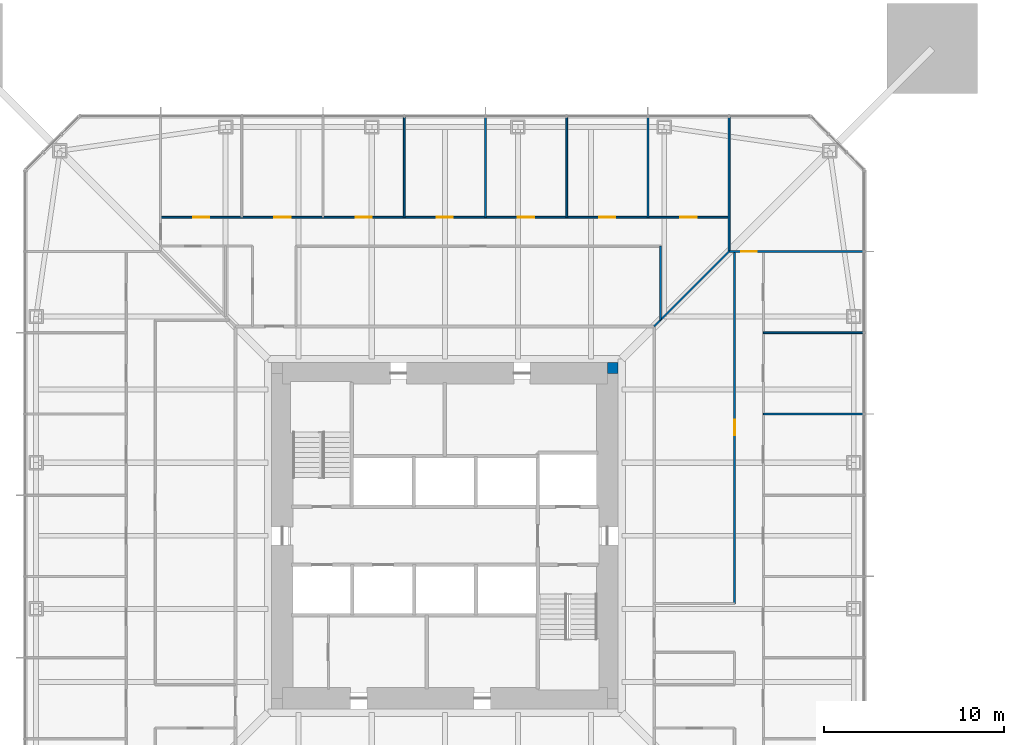
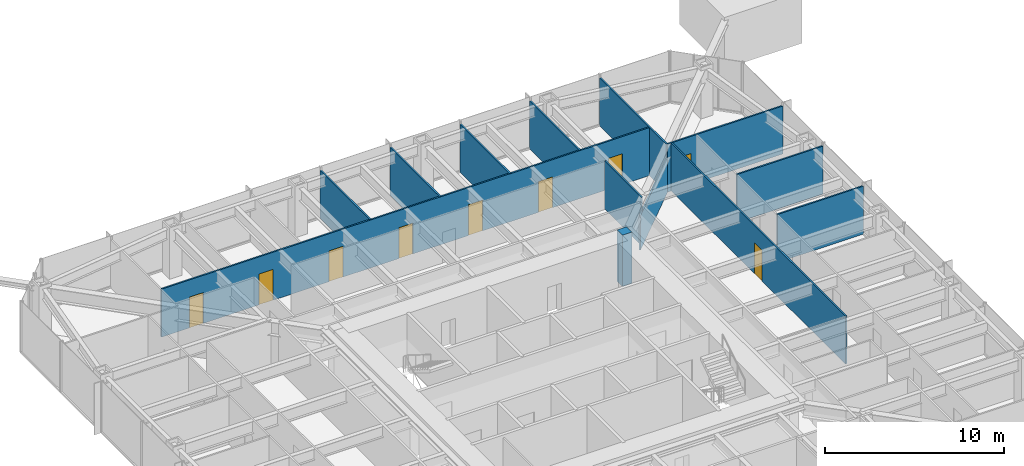
# One storey, part 17 of 26: 13 walls, 9 doors, 9 openings.
"""IFC4 building model written with IfcOpenShell, lengths in metres."""

from ifc_helpers import new_model, si_unit, direction, frame, frame_2d, origin, place, context, subcontext, project, spatial, rectangle, extrude, material, layer, layer_set, type_object, element, fill, save


model = new_model("IFC4")

# Units and contexts
model_context = context("Model", 3, precision=1e-05, world=origin(), true_north=direction((0.0, 1.0)))
body_context = subcontext(model_context, "Body", "Model", "MODEL_VIEW")
ifc_project = project(units=[si_unit("LENGTHUNIT", "METRE"), si_unit("AREAUNIT", "SQUARE_METRE"), si_unit("VOLUMEUNIT", "CUBIC_METRE"), si_unit("PLANEANGLEUNIT", "RADIAN"), si_unit("MASSUNIT", "GRAM", prefix="KILO")], contexts=[model_context])

# Site, building, storey
site_placement = place(None, origin())
site = spatial("IfcSite", under=ifc_project, at=site_placement, CompositionType="ELEMENT")
building_placement = place(site_placement, origin())
building = spatial("IfcBuilding", under=site, at=building_placement, Name="Iwan Alto Co-Living Towers", CompositionType="ELEMENT")
storey_placement = place(building_placement, frame((0.0, 0.0, 22.0)))
storey = spatial("IfcBuildingStorey", under=building, at=storey_placement, Name="L05", CompositionType="ELEMENT", Elevation=22.0)

# Walls
ifc_material_1 = material(Name="Gypsum board")
ifc_layer_1 = layer(ifc_material_1, 0.012451171875, Name="Board", Category="Finish")
ifc_material_2 = material(Name="Steel ASTM A1003 ST33H cold-formed studs", Category="steel")
ifc_layer_2 = layer(ifc_material_2, 0.074951171875, Name="Studs", Category="Framing")
ifc_layer_3 = layer(ifc_material_1, 0.012451171875, Name="Board", Category="Finish")
ifc_layer_set_1 = layer_set([ifc_layer_1, ifc_layer_2, ifc_layer_3], Name="PARTITION 100")
wall_type_1 = type_object("IfcWallType", Name="PARTITION 100", PredefinedType="PARTITIONING", material=ifc_layer_set_1)
for number, where, z_axis, x_axis, name in (
    (1, (17.64990234375, 6.75, 0.0), (0.0, 0.0, 1.0), (1.0, 0.0, 0.0), "Partition L05"),
    (2, (17.64990234375, 11.25, 0.0), (0.0, 0.0, 1.0), (1.0, 0.0, 0.0), "Partition L05"),
):
    element("IfcWall", number, at=place(storey_placement, frame(where, z_axis=z_axis, x_axis=x_axis)), inside=storey, type_object=wall_type_1, Name=name, PredefinedType="PARTITIONING", context=body_context, shape_type="SweptSolid", body=[
        extrude(rectangle(XDim=5.5400390625, YDim=0.10009765625, at=frame_2d((2.77001953125, 0.0))), origin(), (0.0, 0.0, 1.0), 3.27001953125),
    ])

# Wall, opening, door
wall_1_placement = place(storey_placement, frame((15.75, 15.75, 0.0), z_axis=(0.0, 0.0, 1.0), x_axis=(1.0, 0.0, 0.0)))
wall_1 = element("IfcWall", 3, at=wall_1_placement, inside=storey, type_object=wall_type_1, Name="Partition L05", PredefinedType="PARTITIONING", context=body_context, shape_type="SweptSolid", body=[
    extrude(rectangle(XDim=7.43994140625, YDim=0.10009765625, at=frame_2d((3.719970703125, 0.0))), origin(), (0.0, 0.0, 1.0), 3.27001953125),
])
opening_1_placement = place(wall_1_placement, frame((0.675048828125, 0.0, 0.0)))
opening_1 = element("IfcOpeningElement", 4, at=opening_1_placement, cuts=wall_1, Name="Opening D2", PredefinedType="OPENING", context=body_context, shape_type="SweptSolid", body=[
    extrude(rectangle(XDim=0.85009765625, YDim=2.10009765625, at=frame_2d((0.425048828125, 1.050048828125))), frame((0.0, 0.06005859375, 0.0), z_axis=(0.0, -1.0, 0.0), x_axis=(1.0, 0.0, 0.0)), (0.0, 0.0, 1.0), 0.1201171875),
])
ifc_material_3 = material(Name="Timber leaf in steel frame", Category="steel")
door_type_1 = type_object("IfcDoorType", Name="ROOM DOOR 850X2100", OperationType="SINGLE_SWING_LEFT", PredefinedType="DOOR", material=ifc_material_3)
door_1_placement = place(opening_1_placement, frame((0.85009765625, 0.0, 0.0), z_axis=(0.0, 0.0, 1.0), x_axis=(-1.0, 0.0, 0.0)))
door_1 = element("IfcDoor", 5, at=door_1_placement, inside=storey, type_object=door_type_1, Name="Shared kitchen and lounge door L05", OperationType="SINGLE_SWING_RIGHT", OverallHeight=2.10009765625, OverallWidth=0.85009765625, PredefinedType="DOOR", context=body_context, shape_type="SweptSolid", body=[
    extrude(rectangle(XDim=0.85009765625, YDim=2.10009765625, at=frame_2d((0.425048828125, 1.050048828125))), frame((0.0, 0.02490234375, 0.0), z_axis=(0.0, -1.0, 0.0), x_axis=(1.0, 0.0, 0.0)), (0.0, 0.0, 1.0), 0.050048828125),
])
fill(opening_1, door_1)

# Wall, openings, doors
wall_2_placement = place(storey_placement, frame((-15.75, 17.64990234375, 0.0), z_axis=(0.0, 0.0, 1.0), x_axis=(1.0, 0.0, 0.0)))
wall_2 = element("IfcWall", 6, at=wall_2_placement, inside=storey, type_object=wall_type_1, Name="Partition L05", PredefinedType="PARTITIONING", context=body_context, shape_type="SweptSolid", body=[
    extrude(rectangle(XDim=31.5, YDim=0.10009765625, at=frame_2d((15.75, 0.0))), origin(), (0.0, 0.0, 1.0), 3.27001953125),
])
opening_2_placement = place(wall_2_placement, frame((28.800048828125, 0.0, 0.0)))
opening_2 = element("IfcOpeningElement", 7, at=opening_2_placement, cuts=wall_2, Name="Opening D1", PredefinedType="OPENING", context=body_context, shape_type="SweptSolid", body=[
    extrude(rectangle(XDim=0.89990234375, YDim=2.10009765625, at=frame_2d((0.449951171875, 1.050048828125))), frame((0.0, 0.06005859375, 0.0), z_axis=(0.0, -1.0, 0.0), x_axis=(1.0, 0.0, 0.0)), (0.0, 0.0, 1.0), 0.1201171875),
])
opening_3_placement = place(wall_2_placement, frame((24.300048828125, 0.0, 0.0)))
opening_3 = element("IfcOpeningElement", 8, at=opening_3_placement, cuts=wall_2, Name="Opening D1", PredefinedType="OPENING", context=body_context, shape_type="SweptSolid", body=[
    extrude(rectangle(XDim=0.89990234375, YDim=2.10009765625, at=frame_2d((0.449951171875, 1.050048828125))), frame((0.0, 0.06005859375, 0.0), z_axis=(0.0, -1.0, 0.0), x_axis=(1.0, 0.0, 0.0)), (0.0, 0.0, 1.0), 0.1201171875),
])
opening_4_placement = place(wall_2_placement, frame((19.800048828125, 0.0, 0.0)))
opening_4 = element("IfcOpeningElement", 9, at=opening_4_placement, cuts=wall_2, Name="Opening D1", PredefinedType="OPENING", context=body_context, shape_type="SweptSolid", body=[
    extrude(rectangle(XDim=0.89990234375, YDim=2.10009765625, at=frame_2d((0.449951171875, 1.050048828125))), frame((0.0, 0.06005859375, 0.0), z_axis=(0.0, -1.0, 0.0), x_axis=(1.0, 0.0, 0.0)), (0.0, 0.0, 1.0), 0.1201171875),
])
opening_5_placement = place(wall_2_placement, frame((15.300048828125, 0.0, 0.0)))
opening_5 = element("IfcOpeningElement", 10, at=opening_5_placement, cuts=wall_2, Name="Opening D1", PredefinedType="OPENING", context=body_context, shape_type="SweptSolid", body=[
    extrude(rectangle(XDim=0.89990234375, YDim=2.10009765625, at=frame_2d((0.449951171875, 1.050048828125))), frame((0.0, 0.06005859375, 0.0), z_axis=(0.0, -1.0, 0.0), x_axis=(1.0, 0.0, 0.0)), (0.0, 0.0, 1.0), 0.1201171875),
])
opening_6_placement = place(wall_2_placement, frame((10.800048828125, 0.0, 0.0)))
opening_6 = element("IfcOpeningElement", 11, at=opening_6_placement, cuts=wall_2, Name="Opening D1", PredefinedType="OPENING", context=body_context, shape_type="SweptSolid", body=[
    extrude(rectangle(XDim=0.89990234375, YDim=2.10009765625, at=frame_2d((0.449951171875, 1.050048828125))), frame((0.0, 0.06005859375, 0.0), z_axis=(0.0, -1.0, 0.0), x_axis=(1.0, 0.0, 0.0)), (0.0, 0.0, 1.0), 0.1201171875),
])
opening_7_placement = place(wall_2_placement, frame((6.300048828125, 0.0, 0.0)))
opening_7 = element("IfcOpeningElement", 12, at=opening_7_placement, cuts=wall_2, Name="Opening D1", PredefinedType="OPENING", context=body_context, shape_type="SweptSolid", body=[
    extrude(rectangle(XDim=0.89990234375, YDim=2.10009765625, at=frame_2d((0.449951171875, 1.050048828125))), frame((0.0, 0.06005859375, 0.0), z_axis=(0.0, -1.0, 0.0), x_axis=(1.0, 0.0, 0.0)), (0.0, 0.0, 1.0), 0.1201171875),
])
opening_8_placement = place(wall_2_placement, frame((1.800048828125, 0.0, 0.0)))
opening_8 = element("IfcOpeningElement", 13, at=opening_8_placement, cuts=wall_2, Name="Opening D1", PredefinedType="OPENING", context=body_context, shape_type="SweptSolid", body=[
    extrude(rectangle(XDim=0.89990234375, YDim=2.10009765625, at=frame_2d((0.449951171875, 1.050048828125))), frame((0.0, 0.06005859375, 0.0), z_axis=(0.0, -1.0, 0.0), x_axis=(1.0, 0.0, 0.0)), (0.0, 0.0, 1.0), 0.1201171875),
])
ifc_material_4 = material(Name="Timber leaf in steel frame", Category="steel")
door_type_2 = type_object("IfcDoorType", Name="BEDROOM DOOR 900X2100", OperationType="SINGLE_SWING_LEFT", PredefinedType="DOOR", material=ifc_material_4)
door_2_placement = place(opening_2_placement, frame((0.89990234375, 0.0, 0.0), z_axis=(0.0, 0.0, 1.0), x_axis=(-1.0, 0.0, 0.0)))
door_2 = element("IfcDoor", 14, at=door_2_placement, inside=storey, type_object=door_type_2, Name="Study bedroom door L05", OperationType="SINGLE_SWING_LEFT", OverallHeight=2.10009765625, OverallWidth=0.89990234375, PredefinedType="DOOR", context=body_context, shape_type="SweptSolid", body=[
    extrude(rectangle(XDim=0.89990234375, YDim=2.10009765625, at=frame_2d((0.449951171875, 1.050048828125))), frame((0.0, 0.02490234375, 0.0), z_axis=(0.0, -1.0, 0.0), x_axis=(1.0, 0.0, 0.0)), (0.0, 0.0, 1.0), 0.050048828125),
])
fill(opening_2, door_2)
door_3_placement = place(opening_3_placement, frame((0.89990234375, 0.0, 0.0), z_axis=(0.0, 0.0, 1.0), x_axis=(-1.0, 0.0, 0.0)))
door_3 = element("IfcDoor", 15, at=door_3_placement, inside=storey, type_object=door_type_2, Name="Study bedroom door L05", OperationType="SINGLE_SWING_LEFT", OverallHeight=2.10009765625, OverallWidth=0.89990234375, PredefinedType="DOOR", context=body_context, shape_type="SweptSolid", body=[
    extrude(rectangle(XDim=0.89990234375, YDim=2.10009765625, at=frame_2d((0.449951171875, 1.050048828125))), frame((0.0, 0.02490234375, 0.0), z_axis=(0.0, -1.0, 0.0), x_axis=(1.0, 0.0, 0.0)), (0.0, 0.0, 1.0), 0.050048828125),
])
fill(opening_3, door_3)
door_4_placement = place(opening_4_placement, frame((0.89990234375, 0.0, 0.0), z_axis=(0.0, 0.0, 1.0), x_axis=(-1.0, 0.0, 0.0)))
door_4 = element("IfcDoor", 16, at=door_4_placement, inside=storey, type_object=door_type_2, Name="Study bedroom door L05", OperationType="SINGLE_SWING_LEFT", OverallHeight=2.10009765625, OverallWidth=0.89990234375, PredefinedType="DOOR", context=body_context, shape_type="SweptSolid", body=[
    extrude(rectangle(XDim=0.89990234375, YDim=2.10009765625, at=frame_2d((0.449951171875, 1.050048828125))), frame((0.0, 0.02490234375, 0.0), z_axis=(0.0, -1.0, 0.0), x_axis=(1.0, 0.0, 0.0)), (0.0, 0.0, 1.0), 0.050048828125),
])
fill(opening_4, door_4)
door_5_placement = place(opening_5_placement, frame((0.89990234375, 0.0, 0.0), z_axis=(0.0, 0.0, 1.0), x_axis=(-1.0, 0.0, 0.0)))
door_5 = element("IfcDoor", 17, at=door_5_placement, inside=storey, type_object=door_type_2, Name="Study bedroom door L05", OperationType="SINGLE_SWING_RIGHT", OverallHeight=2.10009765625, OverallWidth=0.89990234375, PredefinedType="DOOR", context=body_context, shape_type="SweptSolid", body=[
    extrude(rectangle(XDim=0.89990234375, YDim=2.10009765625, at=frame_2d((0.449951171875, 1.050048828125))), frame((0.0, 0.02490234375, 0.0), z_axis=(0.0, -1.0, 0.0), x_axis=(1.0, 0.0, 0.0)), (0.0, 0.0, 1.0), 0.050048828125),
])
fill(opening_5, door_5)
door_6_placement = place(opening_6_placement, frame((0.89990234375, 0.0, 0.0), z_axis=(0.0, 0.0, 1.0), x_axis=(-1.0, 0.0, 0.0)))
door_6 = element("IfcDoor", 18, at=door_6_placement, inside=storey, type_object=door_type_2, Name="Study bedroom door L05", OperationType="SINGLE_SWING_RIGHT", OverallHeight=2.10009765625, OverallWidth=0.89990234375, PredefinedType="DOOR", context=body_context, shape_type="SweptSolid", body=[
    extrude(rectangle(XDim=0.89990234375, YDim=2.10009765625, at=frame_2d((0.449951171875, 1.050048828125))), frame((0.0, 0.02490234375, 0.0), z_axis=(0.0, -1.0, 0.0), x_axis=(1.0, 0.0, 0.0)), (0.0, 0.0, 1.0), 0.050048828125),
])
fill(opening_6, door_6)
door_7_placement = place(opening_7_placement, frame((0.89990234375, 0.0, 0.0), z_axis=(0.0, 0.0, 1.0), x_axis=(-1.0, 0.0, 0.0)))
door_7 = element("IfcDoor", 19, at=door_7_placement, inside=storey, type_object=door_type_2, Name="Study bedroom door L05", OperationType="SINGLE_SWING_RIGHT", OverallHeight=2.10009765625, OverallWidth=0.89990234375, PredefinedType="DOOR", context=body_context, shape_type="SweptSolid", body=[
    extrude(rectangle(XDim=0.89990234375, YDim=2.10009765625, at=frame_2d((0.449951171875, 1.050048828125))), frame((0.0, 0.02490234375, 0.0), z_axis=(0.0, -1.0, 0.0), x_axis=(1.0, 0.0, 0.0)), (0.0, 0.0, 1.0), 0.050048828125),
])
fill(opening_7, door_7)
door_8_placement = place(opening_8_placement, frame((0.89990234375, 0.0, 0.0), z_axis=(0.0, 0.0, 1.0), x_axis=(-1.0, 0.0, 0.0)))
door_8 = element("IfcDoor", 20, at=door_8_placement, inside=storey, type_object=door_type_2, Name="Study bedroom door L05", OperationType="SINGLE_SWING_RIGHT", OverallHeight=2.10009765625, OverallWidth=0.89990234375, PredefinedType="DOOR", context=body_context, shape_type="SweptSolid", body=[
    extrude(rectangle(XDim=0.89990234375, YDim=2.10009765625, at=frame_2d((0.449951171875, 1.050048828125))), frame((0.0, 0.02490234375, 0.0), z_axis=(0.0, -1.0, 0.0), x_axis=(1.0, 0.0, 0.0)), (0.0, 0.0, 1.0), 0.050048828125),
])
fill(opening_8, door_8)

# Wall
wall_3_placement = place(storey_placement, frame((11.60009765625, 11.60009765625, 0.0), z_axis=(0.0, 0.0, 1.0), x_axis=(0.707106781187, 0.707106781187, 0.0)))
element("IfcWall", 21, at=wall_3_placement, inside=storey, type_object=wall_type_1, Name="Partition L05", PredefinedType="PARTITIONING", context=body_context, shape_type="SweptSolid", body=[
    extrude(rectangle(XDim=5.868896484375, YDim=0.10009765625, at=frame_2d((2.9345703125, 0.0))), origin(), (0.0, 0.0, 1.0), 2.343017578125),
])

# Wall, opening, door
wall_4_placement = place(storey_placement, frame((16.050048828125, -3.75, 0.0), z_axis=(0.0, 0.0, 1.0), x_axis=(0.0, 1.0, 0.0)))
wall_4 = element("IfcWall", 22, at=wall_4_placement, inside=storey, type_object=wall_type_1, Name="Partition L05", PredefinedType="PARTITIONING", context=body_context, shape_type="SweptSolid", body=[
    extrude(rectangle(XDim=19.5, YDim=0.10009765625, at=frame_2d((9.75, 0.0))), origin(), (0.0, 0.0, 1.0), 3.27001953125),
])
opening_9_placement = place(wall_4_placement, frame((9.324951171875, 0.0, 0.0)))
opening_9 = element("IfcOpeningElement", 23, at=opening_9_placement, cuts=wall_4, Name="Opening D2", PredefinedType="OPENING", context=body_context, shape_type="SweptSolid", body=[
    extrude(rectangle(XDim=0.85009765625, YDim=2.10009765625, at=frame_2d((0.425048828125, 1.050048828125))), frame((0.0, 0.06005859375, 0.0), z_axis=(0.0, -1.0, 0.0), x_axis=(1.0, 0.0, 0.0)), (0.0, 0.0, 1.0), 0.1201171875),
])
door_9_placement = place(opening_9_placement, origin())
door_9 = element("IfcDoor", 24, at=door_9_placement, inside=storey, type_object=door_type_1, Name="Study lounge door L05", OperationType="SINGLE_SWING_LEFT", OverallHeight=2.10009765625, OverallWidth=0.85009765625, PredefinedType="DOOR", context=body_context, shape_type="SweptSolid", body=[
    extrude(rectangle(XDim=0.85009765625, YDim=2.10009765625, at=frame_2d((0.425048828125, 1.050048828125))), frame((0.0, 0.02490234375, 0.0), z_axis=(0.0, -1.0, 0.0), x_axis=(1.0, 0.0, 0.0)), (0.0, 0.0, 1.0), 0.050048828125),
])
fill(opening_9, door_9)

# Walls
wall_5_placement = place(storey_placement, frame((15.75, 15.75, 0.0), z_axis=(0.0, 0.0, 1.0), x_axis=(0.0, 1.0, 0.0)))
element("IfcWall", 25, at=wall_5_placement, inside=storey, type_object=wall_type_1, Name="Partition L05", PredefinedType="PARTITIONING", context=body_context, shape_type="SweptSolid", body=[
    extrude(rectangle(XDim=7.43994140625, YDim=0.10009765625, at=frame_2d((3.719970703125, 0.0))), origin(), (0.0, 0.0, 1.0), 3.27001953125),
])
wall_6_placement = place(storey_placement, frame((11.949951171875, 11.949951171875, 0.0), z_axis=(0.0, 0.0, 1.0), x_axis=(0.0, 1.0, 0.0)))
element("IfcWall", 26, at=wall_6_placement, inside=storey, type_object=wall_type_1, Name="Partition L05", PredefinedType="PARTITIONING", context=body_context, shape_type="SweptSolid", body=[
    extrude(rectangle(XDim=4.10009765625, YDim=0.10009765625, at=frame_2d((2.050048828125, 0.0))), origin(), (0.0, 0.0, 1.0), 3.27001953125),
])
for number, where, z_axis, x_axis, name in (
    (27, (11.25, 17.64990234375, 0.0), (0.0, 0.0, 1.0), (0.0, 1.0, 0.0), "Partition L05"),
    (28, (6.75, 17.64990234375, 0.0), (0.0, 0.0, 1.0), (0.0, 1.0, 0.0), "Partition L05"),
    (29, (2.25, 17.64990234375, 0.0), (0.0, 0.0, 1.0), (0.0, 1.0, 0.0), "Partition L05"),
    (30, (-2.25, 17.64990234375, 0.0), (0.0, 0.0, 1.0), (0.0, 1.0, 0.0), "Partition L05"),
):
    element("IfcWall", number, at=place(storey_placement, frame(where, z_axis=z_axis, x_axis=x_axis)), inside=storey, type_object=wall_type_1, Name=name, PredefinedType="PARTITIONING", context=body_context, shape_type="SweptSolid", body=[
        extrude(rectangle(XDim=5.5400390625, YDim=0.10009765625, at=frame_2d((2.77001953125, 0.0))), origin(), (0.0, 0.0, 1.0), 3.27001953125),
    ])
ifc_material_5 = material(Name="Concrete f'c 70 MPa", Category="concrete")
ifc_layer_4 = layer(ifc_material_5, 0.60009765625)
ifc_layer_set_2 = layer_set([ifc_layer_4], Name="T1 CORE CORNER FILL 600")
wall_type_2 = type_object("IfcWallType", Name="T1 CORE CORNER FILL 600", PredefinedType="SOLIDWALL", material=ifc_layer_set_2)
wall_7_placement = place(storey_placement, frame((9.0, 9.300048828125, 0.0), z_axis=(0.0, 0.0, 1.0), x_axis=(1.0, 0.0, 0.0)))
element("IfcWall", 31, at=wall_7_placement, inside=storey, type_object=wall_type_2, Name="T1 core corner NE L05", PredefinedType="SOLIDWALL", context=body_context, shape_type="SweptSolid", body=[
    extrude(rectangle(XDim=0.60009765625, YDim=0.60009765625, at=frame_2d((0.300048828125, 0.0))), origin(), (0.0, 0.0, 1.0), 3.5),
])

save(model, "model.ifc")
